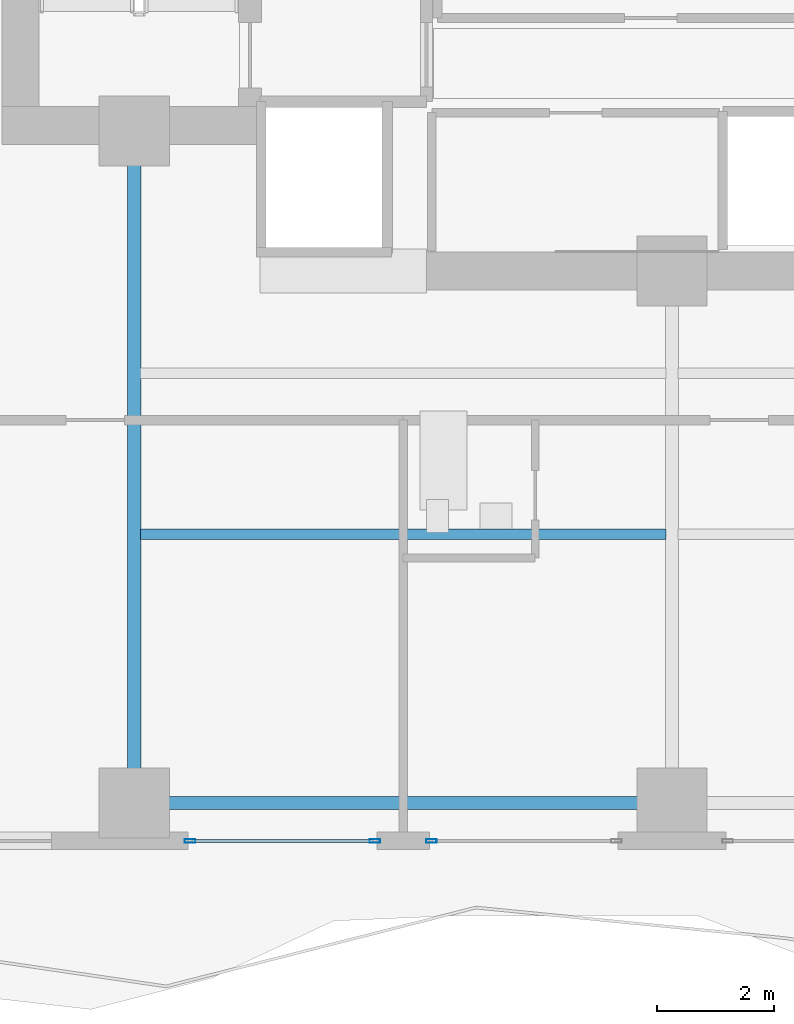
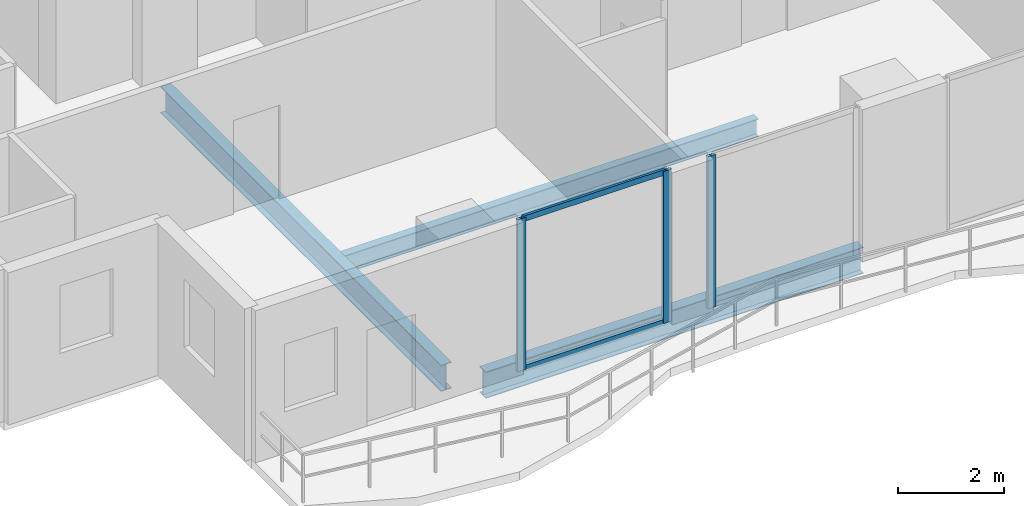
# One storey, part 2 of 33: 5 members, 3 beams, 2 elements without a shape of their own.
"""IFC4 building model written with IfcOpenShell, lengths in metres."""

from ifc_helpers import new_model, si_unit, direction, frame, origin, origin_2d, place, context, subcontext, project, spatial, hollow_rectangle, i_section, extrude, material, layer, layer_set, material_profile, profile_set, type_object, element, aggregate, save


model = new_model("IFC4")

# Units and contexts
model_context = context("Model", 3, precision=1e-05, world=origin(), true_north=direction((0.0, 1.0)))
body_context = subcontext(model_context, "Body", "Model", "MODEL_VIEW")
ifc_project = project(units=[si_unit("LENGTHUNIT", "METRE"), si_unit("AREAUNIT", "SQUARE_METRE"), si_unit("VOLUMEUNIT", "CUBIC_METRE"), si_unit("PLANEANGLEUNIT", "RADIAN"), si_unit("MASSUNIT", "GRAM", prefix="KILO")], contexts=[model_context])

# Site, building, storey
site_placement = place(None, origin())
site = spatial("IfcSite", under=ifc_project, at=site_placement, CompositionType="ELEMENT")
building_placement = place(site_placement, origin())
building = spatial("IfcBuilding", under=site, at=building_placement, Name="Zuhayl Quay Hotel", CompositionType="ELEMENT")
storey_placement = place(building_placement, frame((0.0, 0.0, 229.89990234375)))
storey = spatial("IfcBuildingStorey", under=building, at=storey_placement, Name="L58", CompositionType="ELEMENT", Elevation=229.89990234375)

# Beams
ifc_material_1 = material(Name="Steel ASTM A992 Grade 50", Category="steel")
ifc_material_profile_1 = material_profile(ifc_material_1, i_section(OverallWidth=0.22802734375, OverallDepth=0.60693359375, WebThickness=0.01123046875, FlangeThickness=0.017333984375, at=origin_2d()), Name="W24X76")
ifc_profile_set_1 = profile_set([ifc_material_profile_1], Name="Steel ASTM A992 Grade 50")
beam_type_1 = type_object("IfcBeamType", Name="BM_B3_W24X76", PredefinedType="BEAM", material=ifc_profile_set_1)
beam_1_placement = place(storey_placement, frame((-13.300048828125, -6.949951171875, -0.5234375), z_axis=(1.0, 0.0, 0.0), x_axis=(0.0, 1.0, 0.0)))
element("IfcBeam", 1, at=beam_1_placement, inside=storey, type_object=beam_type_1, Name="L58 Floor Beam RG_L58_01", PredefinedType="BEAM", context=body_context, shape_type="SweptSolid", body=[
    extrude(i_section(OverallWidth=0.22802734375, OverallDepth=0.60693359375, WebThickness=0.01123046875, FlangeThickness=0.017333984375, at=origin_2d()), origin(), (0.0, 0.0, 1.0), 8.199951171875),
])
beam_2_placement = place(storey_placement, frame((-13.800048828125, -6.449951171875, -0.5234375), z_axis=(0.0, 1.0, 0.0), x_axis=(-1.0, 0.0, 0.0)))
element("IfcBeam", 2, at=beam_2_placement, inside=storey, type_object=beam_type_1, Name="L58 Floor Beam FG_S_L58_1", PredefinedType="BEAM", context=body_context, shape_type="SweptSolid", body=[
    extrude(i_section(OverallWidth=0.22802734375, OverallDepth=0.60693359375, WebThickness=0.01123046875, FlangeThickness=0.017333984375, at=origin_2d()), origin(), (0.0, 0.0, 1.0), 10.550048828125),
])
ifc_material_profile_2 = material_profile(ifc_material_1, i_section(OverallWidth=0.177978515625, OverallDepth=0.406005859375, WebThickness=0.0078125, FlangeThickness=0.0126953125, at=origin_2d()), Name="W16X40")
ifc_profile_set_2 = profile_set([ifc_material_profile_2], Name="Steel ASTM A992 Grade 50")
beam_type_2 = type_object("IfcBeamType", Name="BM_J2B_W16X40", PredefinedType="JOIST", material=ifc_profile_set_2)
beam_3_placement = place(storey_placement, frame((-13.694091796875, -2.35009765625, -0.4228515625), z_axis=(1.0, 0.0, 0.0), x_axis=(0.0, 1.0, 0.0)))
element("IfcBeam", 3, at=beam_3_placement, inside=storey, type_object=beam_type_2, Name="L58 Floor Beam FJ_L58_7_1", PredefinedType="JOIST", context=body_context, shape_type="SweptSolid", body=[
    extrude(i_section(OverallWidth=0.177978515625, OverallDepth=0.406005859375, WebThickness=0.0078125, FlangeThickness=0.0126953125, at=origin_2d()), origin(), (0.0, 0.0, 1.0), 8.988037109375),
])

# Curtain wall, member
ifc_material_2 = material(Name="Anodised Aluminium 6063-T6", Category="aluminium")
ifc_layer = layer(ifc_material_2, 0.175048828125, Name="Anodised Aluminium 6063-T6", Category="aluminium")
ifc_layer_set = layer_set([ifc_layer], Name="Anodised Aluminium 6063-T6")
curtain_wall_type = type_object("IfcCurtainWallType", Name="CW_SYS_Z3", PredefinedType="USERDEFINED", material=ifc_layer_set)
curtain_wall_1_placement = place(storey_placement, origin())
curtain_wall_1 = element("IfcCurtainWall", 4, at=curtain_wall_1_placement, inside=storey, type_object=curtain_wall_type, Name="L58 Curtain Wall ENV_L58_S_CW6", ObjectType="UNITISED CURTAIN WALL", PredefinedType="USERDEFINED")
ifc_material_3 = material(Name="Black-anodised aluminium 6063-T6", Category="aluminium")
ifc_material_profile_3 = material_profile(ifc_material_3, hollow_rectangle(XDim=0.06494140625, YDim=0.179931640625, WallThickness=0.00341796875, at=origin_2d()), Name="ALU180X65")
ifc_profile_set_3 = profile_set([ifc_material_profile_3], Name="Black-anodised aluminium 6063-T6")
member_type_1 = type_object("IfcMemberType", Name="MB_CW_MUL_180", PredefinedType="MULLION", material=ifc_profile_set_3)
member_1_placement = place(storey_placement, frame((-8.717529296875, -7.60009765625, 0.0), z_axis=(0.0, 0.0, 1.0), x_axis=(0.0, -1.0, 0.0)))
member_1 = element("IfcMember", 5, at=member_1_placement, type_object=member_type_1, Name="CW-Z3 mullion 2", PredefinedType="MULLION", context=body_context, shape_type="SweptSolid", body=[
    extrude(hollow_rectangle(XDim=0.06494140625, YDim=0.179931640625, WallThickness=0.00341796875, at=origin_2d()), origin(), (0.0, 0.0, 1.0), 3.489990234375),
])
aggregate(curtain_wall_1, [member_1])

# Curtain wall, members
curtain_wall_2_placement = place(storey_placement, origin())
curtain_wall_2 = element("IfcCurtainWall", 6, at=curtain_wall_2_placement, inside=storey, type_object=curtain_wall_type, Name="L58 Curtain Wall ENV_L58_S_CW7", ObjectType="UNITISED CURTAIN WALL", PredefinedType="USERDEFINED")
member_2_placement = place(storey_placement, frame((-9.6826171875, -7.60009765625, 0.0), z_axis=(0.0, 0.0, 1.0), x_axis=(0.0, -1.0, 0.0)))
member_2 = element("IfcMember", 7, at=member_2_placement, type_object=member_type_1, Name="CW-Z3 mullion 1", PredefinedType="MULLION", context=body_context, shape_type="SweptSolid", body=[
    extrude(hollow_rectangle(XDim=0.06494140625, YDim=0.179931640625, WallThickness=0.00341796875, at=origin_2d()), origin(), (0.0, 0.0, 1.0), 3.489990234375),
])
member_3_placement = place(storey_placement, frame((-12.847412109375, -7.60009765625, 0.0), z_axis=(0.0, 0.0, 1.0), x_axis=(0.0, -1.0, 0.0)))
member_3 = element("IfcMember", 8, at=member_3_placement, type_object=member_type_1, Name="CW-Z3 mullion 2", PredefinedType="MULLION", context=body_context, shape_type="SweptSolid", body=[
    extrude(hollow_rectangle(XDim=0.06494140625, YDim=0.179931640625, WallThickness=0.00341796875, at=origin_2d()), origin(), (0.0, 0.0, 1.0), 3.489990234375),
])
ifc_material_profile_4 = material_profile(ifc_material_3, hollow_rectangle(XDim=0.054931640625, YDim=0.1298828125, WallThickness=0.0029296875, at=origin_2d()), Name="ALU130X55")
ifc_profile_set_4 = profile_set([ifc_material_profile_4], Name="Black-anodised aluminium 6063-T6")
member_type_2 = type_object("IfcMemberType", Name="MB_CW_TRN_130", PredefinedType="USERDEFINED", material=ifc_profile_set_4)
member_4_placement = place(storey_placement, frame((-9.715087890625, -7.60009765625, 0.027587890625), z_axis=(-1.0, 0.0, 0.0), x_axis=(0.0, -1.0, 0.0)))
member_4 = element("IfcMember", 9, at=member_4_placement, type_object=member_type_2, Name="CW-Z3 transom 1.1", ObjectType="TRANSOM", PredefinedType="USERDEFINED", context=body_context, shape_type="SweptSolid", body=[
    extrude(hollow_rectangle(XDim=0.054931640625, YDim=0.1298828125, WallThickness=0.0029296875, at=origin_2d()), origin(), (0.0, 0.0, 1.0), 3.099853515625),
])
member_5_placement = place(storey_placement, frame((-9.715087890625, -7.60009765625, 3.462646484375), z_axis=(-1.0, 0.0, 0.0), x_axis=(0.0, -1.0, 0.0)))
member_5 = element("IfcMember", 10, at=member_5_placement, type_object=member_type_2, Name="CW-Z3 transom 1.2", ObjectType="TRANSOM", PredefinedType="USERDEFINED", context=body_context, shape_type="SweptSolid", body=[
    extrude(hollow_rectangle(XDim=0.054931640625, YDim=0.1298828125, WallThickness=0.0029296875, at=origin_2d()), origin(), (0.0, 0.0, 1.0), 3.099853515625),
])
aggregate(curtain_wall_2, [member_2, member_3, member_4, member_5])

save(model, "model.ifc")
